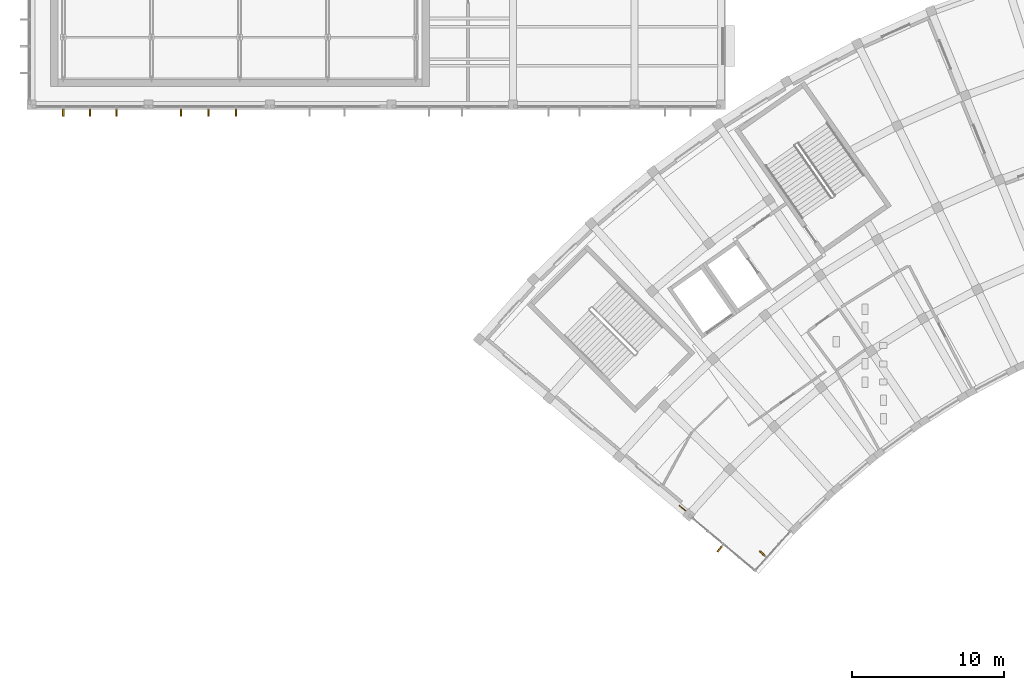
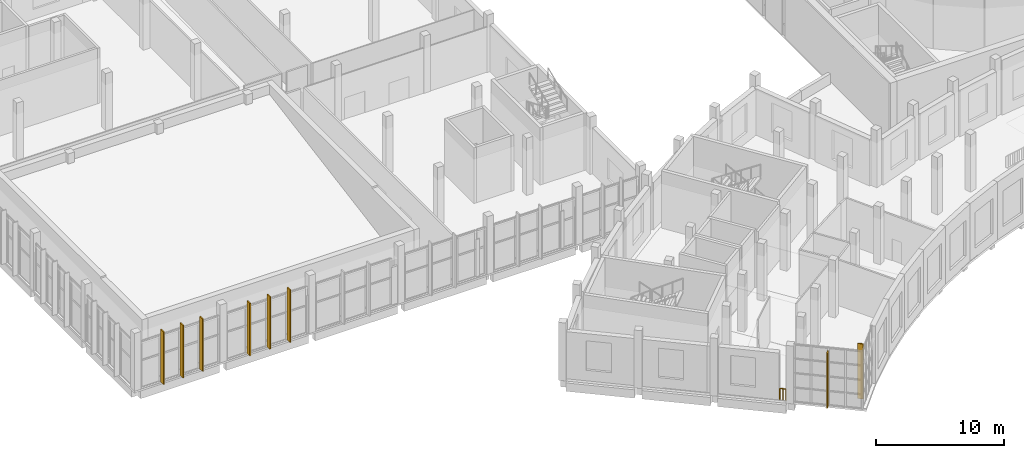
# One storey, part 102 of 132: 8 shading devices, 1 railing.
"""IFC4 building model written with IfcOpenShell, lengths in metres."""

from ifc_helpers import new_model, si_unit, direction, frame, origin, origin_2d, place, context, subcontext, project, spatial, rectangle, circle, extrude, material, type_object, element, save


model = new_model("IFC4")

# Units and contexts
model_context = context("Model", 3, precision=1e-05, world=origin(), true_north=direction((0.0, 1.0)))
body_context = subcontext(model_context, "Body", "Model", "MODEL_VIEW")
ifc_project = project(units=[si_unit("LENGTHUNIT", "METRE"), si_unit("AREAUNIT", "SQUARE_METRE"), si_unit("VOLUMEUNIT", "CUBIC_METRE"), si_unit("PLANEANGLEUNIT", "RADIAN"), si_unit("MASSUNIT", "GRAM", prefix="KILO")], contexts=[model_context])

# Site, building, storey
site_placement = place(None, origin())
site = spatial("IfcSite", under=ifc_project, at=site_placement, CompositionType="ELEMENT")
building_placement = place(site_placement, origin())
building = spatial("IfcBuilding", under=site, at=building_placement, Name="Lunette Opera House", CompositionType="ELEMENT")
storey_placement = place(building_placement, frame((0.0, 0.0, 17.0)))
storey = spatial("IfcBuildingStorey", under=building, at=storey_placement, Name="L03", CompositionType="ELEMENT", Elevation=17.0)

# Railing
ifc_material_1 = material(Name="Steel S355", Category="steel")
railing_type = type_object("IfcRailingType", Name="DECK GUARD 1100", PredefinedType="GUARDRAIL", material=ifc_material_1)
railing_placement = place(storey_placement, frame((50.964111328125, 37.89404296875, 0.0)))
element("IfcRailing", 1, at=railing_placement, inside=storey, type_object=railing_type, Name="Deck guard 021", PredefinedType="GUARDRAIL", context=body_context, shape_type="SweptSolid", body=[
    extrude(circle(Radius=0.02392578125, at=origin_2d()), frame((0.0, 0.0, 1.076171875), z_axis=(0.765606918818, -0.643308670747, 0.0), x_axis=(0.643308670747, 0.765606918818, 0.0)), (0.0, 0.0, 1.0), 0.24560546875),
    extrude(circle(Radius=0.02392578125, at=origin_2d()), frame((0.18798828125, -0.157958984375, 1.076171875), z_axis=(0.767567213213, -0.64096846506, 0.0), x_axis=(0.64096846506, 0.767567213213, 0.0)), (0.0, 0.0, 1.0), 0.244873046875),
    extrude(circle(Radius=0.02099609375, at=origin_2d()), origin(), (0.0, 0.0, 1.0), 1.052001953125),
    extrude(circle(Radius=0.02099609375, at=origin_2d()), frame((0.18798828125, -0.157958984375, 0.0)), (0.0, 0.0, 1.0), 1.052001953125),
    extrude(circle(Radius=0.02099609375, at=origin_2d()), frame((0.3759765625, -0.31494140625, 0.0)), (0.0, 0.0, 1.0), 1.052001953125),
])

# Shading devices
ifc_material_2 = material(Name="Powder-coated aluminium", Category="aluminium")
shading_device_type = type_object("IfcShadingDeviceType", Name="SOLAR FIN 100 X 450", PredefinedType="USERDEFINED", material=ifc_material_2)
for number, where, z_axis, x_axis, name in (
    (2, (10.389892578125, 63.76806640625, 0.115234375), (0.0, 0.0, 1.0), (0.0, -1.0, 0.0), "Solar fin RW-X2049 1"),
    (3, (12.14990234375, 63.76806640625, 0.115234375), (0.0, 0.0, 1.0), (0.0, -1.0, 0.0), "Solar fin RW-X2049 2"),
    (4, (13.909912109375, 63.76806640625, 0.115234375), (0.0, 0.0, 1.0), (0.0, -1.0, 0.0), "Solar fin RW-X2049 3"),
    (5, (18.14208984375, 63.76806640625, 0.115234375), (0.0, 0.0, 1.0), (0.0, -1.0, 0.0), "Solar fin RW-X2050 1"),
    (6, (19.952880859375, 63.76806640625, 0.115234375), (0.0, 0.0, 1.0), (0.0, -1.0, 0.0), "Solar fin RW-X2050 2"),
    (7, (21.764892578125, 63.76806640625, 0.115234375), (0.0, 0.0, 1.0), (0.0, -1.0, 0.0), "Solar fin RW-X2050 3"),
):
    element("IfcShadingDevice", number, at=place(storey_placement, frame(where, z_axis=z_axis, x_axis=x_axis)), inside=storey, type_object=shading_device_type, Name=name, ObjectType="SOLAR FIN", PredefinedType="USERDEFINED", context=body_context, shape_type="SweptSolid", body=[
        extrude(rectangle(XDim=0.449951171875, YDim=0.10009765625, at=origin_2d()), origin(), (0.0, 0.0, 1.0), 4.985107421875),
    ])
for number, where, z_axis, x_axis, name in (
    (8, (56.4140625, 34.757080078125, 0.115234375), (0.0, 0.0, 1.0), (-0.74421712619, 0.667937773363, 0.0), "Solar fin FC-X2167 2"),
    (9, (53.60791015625, 35.04296875, 0.115234375), (0.0, 0.0, 1.0), (-0.642839751189, -0.76600068818, 0.0), "Solar fin FC-X2168 2"),
):
    element("IfcShadingDevice", number, at=place(storey_placement, frame(where, z_axis=z_axis, x_axis=x_axis)), inside=storey, type_object=shading_device_type, Name=name, ObjectType="SOLAR FIN", PredefinedType="USERDEFINED", context=body_context, shape_type="SweptSolid", body=[
        extrude(rectangle(XDim=0.449951171875, YDim=0.10009765625, at=origin_2d()), origin(), (0.0, 0.0, 1.0), 5.235107421875),
    ])

save(model, "model.ifc")
